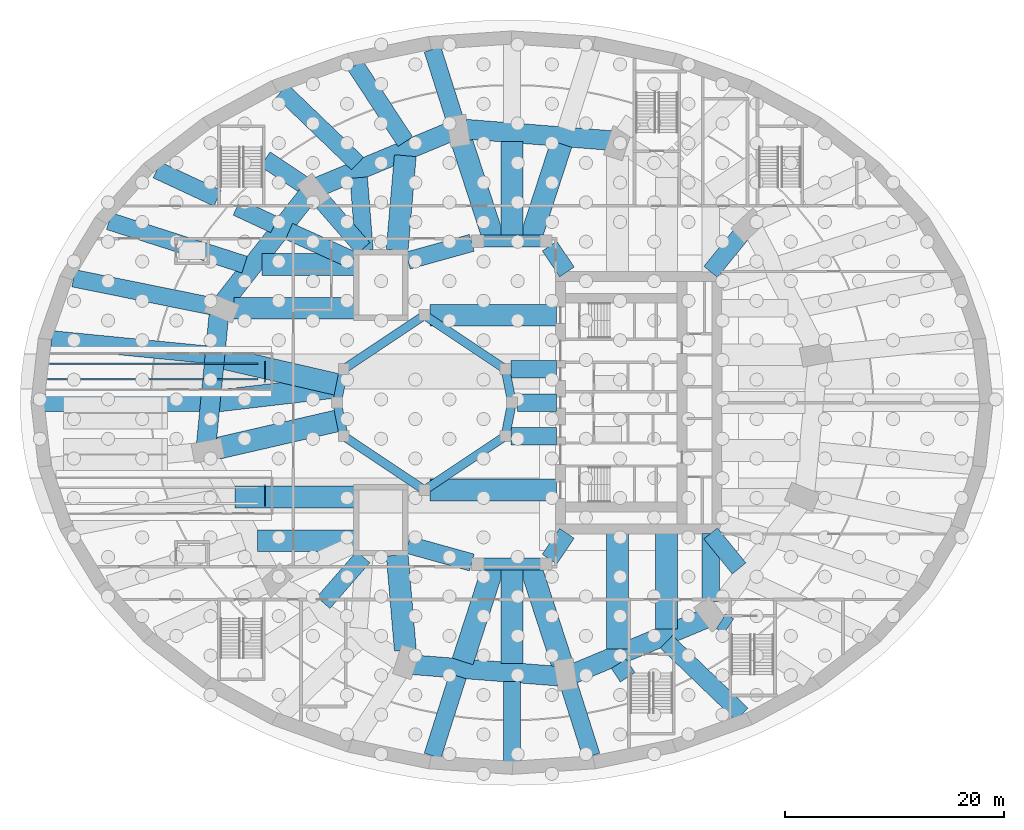
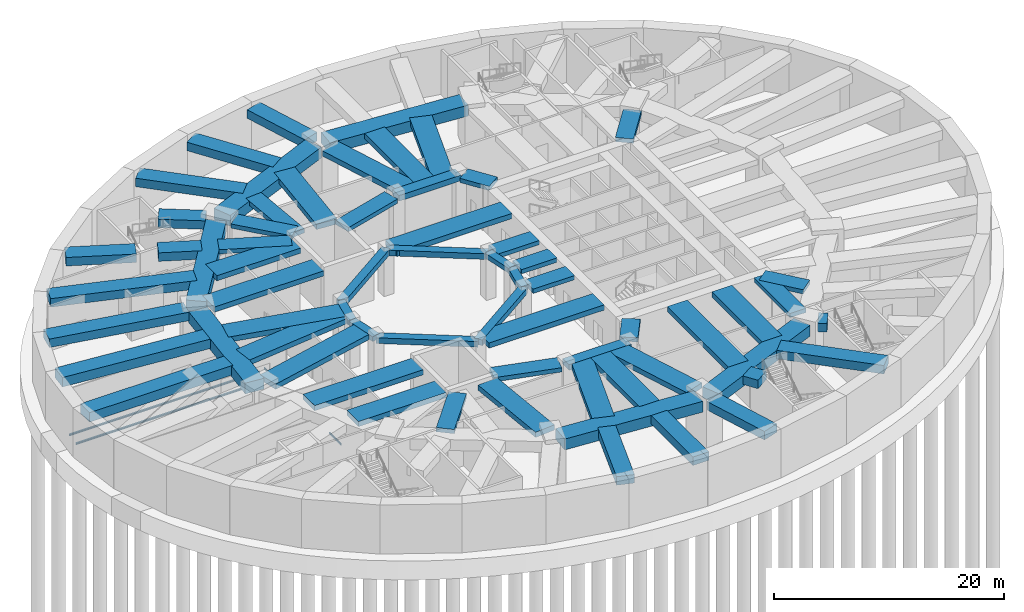
# One storey, part 5 of 18: 65 beams, 4 members.
"""IFC4 building model written with IfcOpenShell, lengths in metres."""

from ifc_helpers import new_model, si_unit, direction, frame, origin, origin_2d, place, context, subcontext, project, spatial, rectangle, hollow_rectangle, i_section, extrude, material, material_profile, profile_set, type_object, element, save


model = new_model("IFC4")

# Units and contexts
model_context = context("Model", 3, precision=1e-05, world=origin(), true_north=direction((0.0, 1.0)))
body_context = subcontext(model_context, "Body", "Model", "MODEL_VIEW")
ifc_project = project(units=[si_unit("LENGTHUNIT", "METRE"), si_unit("AREAUNIT", "SQUARE_METRE"), si_unit("VOLUMEUNIT", "CUBIC_METRE"), si_unit("PLANEANGLEUNIT", "RADIAN"), si_unit("MASSUNIT", "GRAM", prefix="KILO")], contexts=[model_context])

# Site, building, storey
site_placement = place(None, origin())
site = spatial("IfcSite", under=ifc_project, at=site_placement, CompositionType="ELEMENT")
building_placement = place(site_placement, origin())
building = spatial("IfcBuilding", under=site, at=building_placement, Name="Taillehof Tower", CompositionType="ELEMENT")
storey_placement = place(building_placement, frame((0.0, 0.0, -10.39990234375)))
storey = spatial("IfcBuildingStorey", under=building, at=storey_placement, Name="B2", CompositionType="ELEMENT", Elevation=-10.39990234375)

# Beams
ifc_material_1 = material(Name="Concrete C50/60", Category="concrete")
ifc_material_profile_1 = material_profile(ifc_material_1, rectangle(XDim=0.800048828125, YDim=0.5, at=origin_2d()), Name="RC 800x500")
ifc_profile_set_1 = profile_set([ifc_material_profile_1], Name="Concrete C50/60")
beam_type_1 = type_object("IfcBeamType", Name="Atrium ring beam C50/60 800x500", PredefinedType="BEAM", material=ifc_profile_set_1)
for number, where, z_axis, x_axis, name in (
    (1, (0.0, 0.0, 4.5), (-0.195063155143, 0.980790683839, 0.0), (-0.980790683839, -0.195063155143, 0.0), "Atrium ring beam AB01"),
    (2, (-15.39111328125, 3.0615234375, 4.5), (-0.195063155143, -0.980790683839, 0.0), (0.980790683839, -0.195063155143, 0.0), "Atrium ring beam AB04"),
    (3, (-16.0, 0.0, 4.5), (0.195063155143, -0.980790683839, 0.0), (0.980790683839, 0.195063155143, 0.0), "Atrium ring beam AB05"),
    (4, (-0.60888671875, -3.0615234375, 4.5), (0.195063155143, 0.980790683839, 0.0), (-0.980790683839, 0.195063155143, 0.0), "Atrium ring beam AB08"),
):
    element("IfcBeam", number, at=place(storey_placement, frame(where, z_axis=z_axis, x_axis=x_axis)), inside=storey, type_object=beam_type_1, Name=name, PredefinedType="BEAM", context=body_context, shape_type="SweptSolid", body=[
        extrude(rectangle(XDim=0.800048828125, YDim=0.5, at=origin_2d()), origin(), (0.0, 0.0, 1.0), 3.12158203125),
    ])
ifc_material_2 = material(Name="Concrete C50/60", Category="concrete")
ifc_material_profile_2 = material_profile(ifc_material_2, rectangle(XDim=0.800048828125, YDim=0.60009765625, at=origin_2d()), Name="RC 800x600")
ifc_profile_set_2 = profile_set([ifc_material_profile_2], Name="Concrete C50/60")
beam_type_2 = type_object("IfcBeamType", Name="Atrium ring beam C50/60 800x600", PredefinedType="BEAM", material=ifc_profile_set_2)
for number, where, z_axis, x_axis, name in (
    (5, (-0.60888671875, 3.0615234375, 4.449951171875), (-0.831475195687, 0.555561876804, 0.0), (-0.555561876804, -0.831475195687, 0.0), "Atrium ring beam AB02"),
    (6, (-8.0, 8.0, 4.449951171875), (-0.831475195687, -0.555561876804, 0.0), (0.555561876804, -0.831475195687, 0.0), "Atrium ring beam AB03"),
    (7, (-15.39111328125, -3.0615234375, 4.449951171875), (0.831475195687, -0.555561876804, 0.0), (0.555561876804, 0.831475195687, 0.0), "Atrium ring beam AB06"),
    (8, (-8.0, -8.0, 4.449951171875), (0.831475195687, 0.555561876804, 0.0), (-0.555561876804, 0.831475195687, 0.0), "Atrium ring beam AB07"),
):
    element("IfcBeam", number, at=place(storey_placement, frame(where, z_axis=z_axis, x_axis=x_axis)), inside=storey, type_object=beam_type_2, Name=name, PredefinedType="BEAM", context=body_context, shape_type="SweptSolid", body=[
        extrude(rectangle(XDim=0.800048828125, YDim=0.60009765625, at=origin_2d()), origin(), (0.0, 0.0, 1.0), 8.88916015625),
    ])

# Members
ifc_material_3 = material(Name="Structural steel S355", Category="steel")
ifc_material_profile_3 = material_profile(ifc_material_3, hollow_rectangle(XDim=0.10009765625, YDim=0.199951171875, WallThickness=0.008056640625, InnerFilletRadius=0.008056640625, OuterFilletRadius=0.011962890625, at=origin_2d()), Name="RHS 200x100x8")
ifc_profile_set_3 = profile_set([ifc_material_profile_3], Name="Structural steel S355")
member_type_1 = type_object("IfcMemberType", Name="Buffer stop RHS 200x100x8", PredefinedType="USERDEFINED", material=ifc_profile_set_3)
for number, where, z_axis, x_axis, name in (
    (9, (-22.60009765625, 1.85009765625, -0.402099609375), (0.0, 1.0, 0.0), (-1.0, 0.0, 0.0), "North track buffer stop"),
    (10, (-22.60009765625, -9.5, -0.402099609375), (0.0, 1.0, 0.0), (-1.0, 0.0, 0.0), "South track buffer stop"),
):
    element("IfcMember", number, at=place(storey_placement, frame(where, z_axis=z_axis, x_axis=x_axis)), inside=storey, type_object=member_type_1, Name=name, ObjectType="BUFFER", PredefinedType="USERDEFINED", context=body_context, shape_type="SweptSolid", body=[
        extrude(hollow_rectangle(XDim=0.10009765625, YDim=0.199951171875, WallThickness=0.008056640625, InnerFilletRadius=0.008056640625, OuterFilletRadius=0.011962890625, at=origin_2d()), origin(), (0.0, 0.0, 1.0), 2.0),
    ])

# Beams
ifc_material_4 = material(Name="Concrete C50/60", Category="concrete")
ifc_material_profile_4 = material_profile(ifc_material_4, rectangle(XDim=1.10009765625, YDim=0.60009765625, at=origin_2d()), Name="RC 1100x600")
ifc_profile_set_4 = profile_set([ifc_material_profile_4], Name="Concrete C50/60")
beam_type_3 = type_object("IfcBeamType", Name="Mid-ring beam C50/60 1100x600", PredefinedType="BEAM", material=ifc_profile_set_4)
for number, where, z_axis, x_axis, name in (
    (11, (3.125732421875, 14.772216796875, 4.449951171875), (-1.0, 0.0, 0.0), (0.0, -1.0, 0.0), "Mid-ring beam MB01"),
    (12, (-3.125732421875, -14.772216796875, 4.449951171875), (1.0, 0.0, 0.0), (0.0, 1.0, 0.0), "Mid-ring beam MB02"),
):
    element("IfcBeam", number, at=place(storey_placement, frame(where, z_axis=z_axis, x_axis=x_axis)), inside=storey, type_object=beam_type_3, Name=name, PredefinedType="BEAM", context=body_context, shape_type="SweptSolid", body=[
        extrude(rectangle(XDim=1.10009765625, YDim=0.60009765625, at=origin_2d()), origin(), (0.0, 0.0, 1.0), 6.25146484375),
    ])
ifc_material_5 = material(Name="Concrete C50/60", Category="concrete")
ifc_material_profile_5 = material_profile(ifc_material_5, rectangle(XDim=1.60009765625, YDim=1.0, at=origin_2d()), Name="RC 1600x1000")
ifc_profile_set_5 = profile_set([ifc_material_profile_5], Name="Concrete C50/60")
beam_type_4 = type_object("IfcBeamType", Name="Podium radial beam C50/60 1600x1000", PredefinedType="BEAM", material=ifc_profile_set_5)
beam_1_placement = place(storey_placement, frame((-42.103271484375, 5.78369140625, 4.25), z_axis=(0.995235968707, -0.097495469601, 0.0), x_axis=(0.097495469601, 0.995235968707, 0.0)))
element("IfcBeam", 13, at=beam_1_placement, inside=storey, type_object=beam_type_4, Name="Podium radial beam PR18", PredefinedType="BEAM", context=body_context, shape_type="SweptSolid", body=[
    extrude(rectangle(XDim=1.60009765625, YDim=1.0, at=origin_2d()), origin(), (0.0, 0.0, 1.0), 14.108154296875),
])
beam_2_placement = place(storey_placement, frame((-42.792236328125, 0.0, 4.25), z_axis=(1.0, 0.0, 0.0), x_axis=(0.0, 1.0, 0.0)))
element("IfcBeam", 14, at=beam_2_placement, inside=storey, type_object=beam_type_4, Name="Podium radial beam PR19", PredefinedType="BEAM", context=body_context, shape_type="SweptSolid", body=[
    extrude(rectangle(XDim=1.60009765625, YDim=1.0, at=origin_2d()), origin(), (0.0, 0.0, 1.0), 14.37939453125),
])
ifc_material_6 = material(Name="Concrete C50/60", Category="concrete")
ifc_material_profile_6 = material_profile(ifc_material_6, rectangle(XDim=1.60009765625, YDim=0.89990234375, at=origin_2d()), Name="RC 1600x900")
ifc_profile_set_6 = profile_set([ifc_material_profile_6], Name="Concrete C50/60")
beam_type_5 = type_object("IfcBeamType", Name="Podium radial beam C50/60 1600x900", PredefinedType="BEAM", material=ifc_profile_set_6)
beam_3_placement = place(storey_placement, frame((-7.266845703125, 32.305908203125, 4.2998046875), z_axis=(0.302540157535, -0.953136639249, 0.0), x_axis=(0.953136639249, 0.302540157535, 0.0)))
element("IfcBeam", 15, at=beam_3_placement, inside=storey, type_object=beam_type_5, Name="Podium radial beam PR11", PredefinedType="BEAM", context=body_context, shape_type="SweptSolid", body=[
    extrude(rectangle(XDim=1.60009765625, YDim=0.89990234375, at=origin_2d()), origin(), (0.0, 0.0, 1.0), 6.7744140625),
])
beam_4_placement = place(storey_placement, frame((-14.342041015625, 30.870361328125, 4.2998046875), z_axis=(0.5480227373, -0.836463435783, 0.0), x_axis=(0.836463435783, 0.5480227373, 0.0)))
element("IfcBeam", 16, at=beam_4_placement, inside=storey, type_object=beam_type_5, Name="Podium radial beam PR12", PredefinedType="BEAM", context=body_context, shape_type="SweptSolid", body=[
    extrude(rectangle(XDim=1.60009765625, YDim=0.89990234375, at=origin_2d()), origin(), (0.0, 0.0, 1.0), 8.36669921875),
])
beam_5_placement = place(storey_placement, frame((-21.03564453125, 28.516845703125, 4.2998046875), z_axis=(0.720583518861, -0.693368150657, 0.0), x_axis=(0.693368150657, 0.720583518861, 0.0)))
element("IfcBeam", 17, at=beam_5_placement, inside=storey, type_object=beam_type_5, Name="Podium radial beam PR13", PredefinedType="BEAM", context=body_context, shape_type="SweptSolid", body=[
    extrude(rectangle(XDim=1.60009765625, YDim=0.89990234375, at=origin_2d()), origin(), (0.0, 0.0, 1.0), 9.589599609375),
])
beam_6_placement = place(storey_placement, frame((-22.574951171875, 22.2666015625, 4.2998046875), z_axis=(0.833791422348, -0.552079581237, 0.0), x_axis=(0.552079581237, 0.833791422348, 0.0)))
element("IfcBeam", 18, at=beam_6_placement, inside=storey, type_object=beam_type_5, Name="Podium radial beam PR14", PredefinedType="BEAM", context=body_context, shape_type="SweptSolid", body=[
    extrude(rectangle(XDim=1.60009765625, YDim=0.89990234375, at=origin_2d()), origin(), (0.0, 0.0, 1.0), 4.132080078125),
])
beam_7_placement = place(storey_placement, frame((-32.48193359375, 21.2841796875, 4.2998046875), z_axis=(0.906347874546, -0.422532283152, 0.0), x_axis=(0.422532283152, 0.906347874546, 0.0)))
element("IfcBeam", 19, at=beam_7_placement, inside=storey, type_object=beam_type_5, Name="Podium radial beam PR15", PredefinedType="BEAM", context=body_context, shape_type="SweptSolid", body=[
    extrude(rectangle(XDim=1.60009765625, YDim=0.89990234375, at=origin_2d()), origin(), (0.0, 0.0, 1.0), 6.131103515625),
])
beam_8_placement = place(storey_placement, frame((-25.168701171875, 17.875, 4.2998046875), z_axis=(0.906350679656, -0.422526266032, 0.0), x_axis=(0.422526266032, 0.906350679656, 0.0)))
element("IfcBeam", 20, at=beam_8_placement, inside=storey, type_object=beam_type_5, Name="Podium radial beam PR15", PredefinedType="BEAM", context=body_context, shape_type="SweptSolid", body=[
    extrude(rectangle(XDim=1.60009765625, YDim=0.89990234375, at=origin_2d()), origin(), (0.0, 0.0, 1.0), 3.795654296875),
])
beam_9_placement = place(storey_placement, frame((-36.850341796875, 16.59765625, 4.2998046875), z_axis=(0.9522154195, -0.305427233342, 0.0), x_axis=(0.305427233342, 0.9522154195, 0.0)))
element("IfcBeam", 21, at=beam_9_placement, inside=storey, type_object=beam_type_5, Name="Podium radial beam PR16", PredefinedType="BEAM", context=body_context, shape_type="SweptSolid", body=[
    extrude(rectangle(XDim=1.60009765625, YDim=0.89990234375, at=origin_2d()), origin(), (0.0, 0.0, 1.0), 13.010986328125),
])
beam_10_placement = place(storey_placement, frame((-40.097412109375, 11.376220703125, 4.2998046875), z_axis=(0.98016201172, -0.198197958571, 0.0), x_axis=(0.198197958571, 0.98016201172, 0.0)))
element("IfcBeam", 22, at=beam_10_placement, inside=storey, type_object=beam_type_5, Name="Podium radial beam PR17", PredefinedType="BEAM", context=body_context, shape_type="SweptSolid", body=[
    extrude(rectangle(XDim=1.60009765625, YDim=0.89990234375, at=origin_2d()), origin(), (0.0, 0.0, 1.0), 12.80712890625),
])
beam_11_placement = place(storey_placement, frame((-7.266845703125, -32.305908203125, 4.2998046875), z_axis=(0.302511936642, 0.953145596532, 0.0), x_axis=(-0.953145596532, 0.302511936642, 0.0)))
element("IfcBeam", 23, at=beam_11_placement, inside=storey, type_object=beam_type_5, Name="Podium radial beam PR27", PredefinedType="BEAM", context=body_context, shape_type="SweptSolid", body=[
    extrude(rectangle(XDim=1.60009765625, YDim=0.89990234375, at=origin_2d()), origin(), (0.0, 0.0, 1.0), 7.649169921875),
])
beam_12_placement = place(storey_placement, frame((0.0, -32.79736328125, 4.2998046875), z_axis=(0.0, 1.0, 0.0), x_axis=(-1.0, 0.0, 0.0)))
element("IfcBeam", 24, at=beam_12_placement, inside=storey, type_object=beam_type_5, Name="Podium radial beam PR28", PredefinedType="BEAM", context=body_context, shape_type="SweptSolid", body=[
    extrude(rectangle(XDim=1.60009765625, YDim=0.89990234375, at=origin_2d()), origin(), (0.0, 0.0, 1.0), 7.275634765625),
])
beam_13_placement = place(storey_placement, frame((7.266845703125, -32.305908203125, 4.2998046875), z_axis=(-0.302540157535, 0.953136639249, 0.0), x_axis=(-0.953136639249, -0.302540157535, 0.0)))
element("IfcBeam", 25, at=beam_13_placement, inside=storey, type_object=beam_type_5, Name="Podium radial beam PR29", PredefinedType="BEAM", context=body_context, shape_type="SweptSolid", body=[
    extrude(rectangle(XDim=1.60009765625, YDim=0.89990234375, at=origin_2d()), origin(), (0.0, 0.0, 1.0), 6.7744140625),
])
beam_14_placement = place(storey_placement, frame((10.574951171875, -25.12060546875, 4.2998046875), z_axis=(-0.54800258411, 0.836476639129, 0.0), x_axis=(-0.836476639129, -0.54800258411, 0.0)))
element("IfcBeam", 26, at=beam_14_placement, inside=storey, type_object=beam_type_5, Name="Podium radial beam PR30", PredefinedType="BEAM", context=body_context, shape_type="SweptSolid", body=[
    extrude(rectangle(XDim=1.60009765625, YDim=0.89990234375, at=origin_2d()), origin(), (0.0, 0.0, 1.0), 1.492919921875),
])
beam_15_placement = place(storey_placement, frame((21.03564453125, -28.516845703125, 4.2998046875), z_axis=(-0.720583518861, 0.693368150657, 0.0), x_axis=(-0.693368150657, -0.720583518861, 0.0)))
element("IfcBeam", 27, at=beam_15_placement, inside=storey, type_object=beam_type_5, Name="Podium radial beam PR31", PredefinedType="BEAM", context=body_context, shape_type="SweptSolid", body=[
    extrude(rectangle(XDim=1.60009765625, YDim=0.89990234375, at=origin_2d()), origin(), (0.0, 0.0, 1.0), 9.589599609375),
])
beam_16_placement = place(storey_placement, frame((19.824951171875, -20.44580078125, 4.2998046875), z_axis=(-0.833757807349, 0.552130345738, 0.0), x_axis=(-0.552130345738, -0.833757807349, 0.0)))
element("IfcBeam", 28, at=beam_16_placement, inside=storey, type_object=beam_type_5, Name="Podium radial beam PR32", PredefinedType="BEAM", context=body_context, shape_type="SweptSolid", body=[
    extrude(rectangle(XDim=1.60009765625, YDim=0.89990234375, at=origin_2d()), origin(), (0.0, 0.0, 1.0), 0.833984375),
])
ifc_material_7 = material(Name="Concrete C50/60", Category="concrete")
ifc_material_profile_7 = material_profile(ifc_material_7, rectangle(XDim=1.60009765625, YDim=0.449951171875, at=origin_2d()), Name="RC 1600x450")
ifc_profile_set_7 = profile_set([ifc_material_profile_7], Name="Concrete C50/60")
beam_type_6 = type_object("IfcBeamType", Name="Radial band beam C50/60 1600x450", PredefinedType="BEAM", material=ifc_profile_set_7)
beam_17_placement = place(storey_placement, frame((20.943115234375, 15.37255859375, 4.52490234375), z_axis=(-0.630991767535, -0.77578952642, 0.0), x_axis=(0.77578952642, -0.630991767535, 0.0)))
element("IfcBeam", 29, at=beam_17_placement, inside=storey, type_object=beam_type_6, Name="Radial band beam RB05", PredefinedType="BEAM", context=body_context, shape_type="SweptSolid", body=[
    extrude(rectangle(XDim=1.60009765625, YDim=0.449951171875, at=origin_2d()), origin(), (0.0, 0.0, 1.0), 4.397216796875),
])
beam_18_placement = place(storey_placement, frame((-14.022705078125, 20.580810546875, 4.52490234375), z_axis=(0.079171881643, -0.996860979855, 0.0), x_axis=(0.996860979855, 0.079171881643, 0.0)))
element("IfcBeam", 30, at=beam_18_placement, inside=storey, type_object=beam_type_6, Name="Radial band beam RB13", PredefinedType="BEAM", context=body_context, shape_type="SweptSolid", body=[
    extrude(rectangle(XDim=1.60009765625, YDim=0.449951171875, at=origin_2d()), origin(), (0.0, 0.0, 1.0), 6.651611328125),
])
beam_19_placement = place(storey_placement, frame((-17.275146484375, 18.329345703125, 4.52490234375), z_axis=(0.657212129722, -0.753705656438, 0.0), x_axis=(0.753705656438, 0.657212129722, 0.0)))
element("IfcBeam", 31, at=beam_19_placement, inside=storey, type_object=beam_type_6, Name="Radial band beam RB14", PredefinedType="BEAM", context=body_context, shape_type="SweptSolid", body=[
    extrude(rectangle(XDim=1.60009765625, YDim=0.449951171875, at=origin_2d()), origin(), (0.0, 0.0, 1.0), 5.593994140625),
])
beam_20_placement = place(storey_placement, frame((-20.395263671875, 15.6669921875, 4.52490234375), z_axis=(0.911103818844, -0.412176941724, 0.0), x_axis=(0.412176941724, 0.911103818844, 0.0)))
element("IfcBeam", 32, at=beam_20_placement, inside=storey, type_object=beam_type_6, Name="Radial band beam RB15", PredefinedType="BEAM", context=body_context, shape_type="SweptSolid", body=[
    extrude(rectangle(XDim=1.60009765625, YDim=0.449951171875, at=origin_2d()), origin(), (0.0, 0.0, 1.0), 6.3828125),
])
beam_21_placement = place(storey_placement, frame((-17.2529296875, -18.3037109375, 4.52490234375), z_axis=(0.657226031151, 0.75369353452, 0.0), x_axis=(-0.75369353452, 0.657226031151, 0.0)))
element("IfcBeam", 33, at=beam_21_placement, inside=storey, type_object=beam_type_6, Name="Radial band beam RB24", PredefinedType="BEAM", context=body_context, shape_type="SweptSolid", body=[
    extrude(rectangle(XDim=1.60009765625, YDim=0.449951171875, at=origin_2d()), origin(), (0.0, 0.0, 1.0), 5.560302734375),
])
beam_22_placement = place(storey_placement, frame((18.15869140625, -18.1953125, 4.52490234375), z_axis=(0.0, 1.0, 0.0), x_axis=(-1.0, 0.0, 0.0)))
element("IfcBeam", 34, at=beam_22_placement, inside=storey, type_object=beam_type_6, Name="Radial band beam RB32", PredefinedType="BEAM", context=body_context, shape_type="SweptSolid", body=[
    extrude(rectangle(XDim=1.60009765625, YDim=0.449951171875, at=origin_2d()), origin(), (0.0, 0.0, 1.0), 6.245361328125),
])
beam_23_placement = place(storey_placement, frame((20.771484375, -15.16162109375, 4.52490234375), z_axis=(-0.63098244055, 0.775797112471, 0.0), x_axis=(-0.775797112471, -0.63098244055, 0.0)))
element("IfcBeam", 35, at=beam_23_placement, inside=storey, type_object=beam_type_6, Name="Radial band beam RB33", PredefinedType="BEAM", context=body_context, shape_type="SweptSolid", body=[
    extrude(rectangle(XDim=1.60009765625, YDim=0.449951171875, at=origin_2d()), origin(), (0.0, 0.0, 1.0), 4.125244140625),
])
beam_24_placement = place(storey_placement, frame((0.5, 0.0, 4.52490234375), z_axis=(1.0, 0.0, 0.0), x_axis=(0.0, 1.0, 0.0)))
element("IfcBeam", 36, at=beam_24_placement, inside=storey, type_object=beam_type_6, Name="Inner band beam IB101", PredefinedType="BEAM", context=body_context, shape_type="SweptSolid", body=[
    extrude(rectangle(XDim=1.60009765625, YDim=0.449951171875, at=origin_2d()), origin(), (0.0, 0.0, 1.0), 3.550048828125),
])
for number, where, z_axis, x_axis, name in (
    (37, (-0.10888671875, 3.0615234375, 4.52490234375), (1.0, 0.0, 0.0), (0.0, 1.0, 0.0), "Inner band beam IB102"),
    (38, (-0.10888671875, -3.0615234375, 4.52490234375), (1.0, 0.0, 0.0), (0.0, 1.0, 0.0), "Inner band beam IB116"),
):
    element("IfcBeam", number, at=place(storey_placement, frame(where, z_axis=z_axis, x_axis=x_axis)), inside=storey, type_object=beam_type_6, Name=name, PredefinedType="BEAM", context=body_context, shape_type="SweptSolid", body=[
        extrude(rectangle(XDim=1.60009765625, YDim=0.449951171875, at=origin_2d()), origin(), (0.0, 0.0, 1.0), 4.158935546875),
    ])
beam_25_placement = place(storey_placement, frame((3.433837890625, 14.31640625, 4.52490234375), z_axis=(0.560112043398, -0.828416862962, 0.0), x_axis=(0.828416862962, 0.560112043398, 0.0)))
element("IfcBeam", 39, at=beam_25_placement, inside=storey, type_object=beam_type_6, Name="Inner band beam IB205", PredefinedType="BEAM", context=body_context, shape_type="SweptSolid", body=[
    extrude(rectangle(XDim=1.60009765625, YDim=0.449951171875, at=origin_2d()), origin(), (0.0, 0.0, 1.0), 2.84619140625),
])
for number, where, z_axis, x_axis, name in (
    (40, (-3.6796875, 14.6181640625, 4.52490234375), (-0.963453939049, -0.267874051248, 0.0), (0.267874051248, -0.963453939049, 0.0), "Inner band beam IB206"),
    (41, (-3.6796875, -14.6181640625, 4.52490234375), (-0.963453939049, 0.267874051248, 0.0), (-0.267874051248, -0.963453939049, 0.0), "Inner band beam IB214"),
):
    element("IfcBeam", number, at=place(storey_placement, frame(where, z_axis=z_axis, x_axis=x_axis)), inside=storey, type_object=beam_type_6, Name=name, PredefinedType="BEAM", context=body_context, shape_type="SweptSolid", body=[
        extrude(rectangle(XDim=1.60009765625, YDim=0.449951171875, at=origin_2d()), origin(), (0.0, 0.0, 1.0), 6.07177734375),
    ])
beam_26_placement = place(storey_placement, frame((3.433837890625, -14.31640625, 4.52490234375), z_axis=(0.560112043398, 0.828416862962, 0.0), x_axis=(-0.828416862962, 0.560112043398, 0.0)))
element("IfcBeam", 42, at=beam_26_placement, inside=storey, type_object=beam_type_6, Name="Inner band beam IB215", PredefinedType="BEAM", context=body_context, shape_type="SweptSolid", body=[
    extrude(rectangle(XDim=1.60009765625, YDim=0.449951171875, at=origin_2d()), origin(), (0.0, 0.0, 1.0), 2.84619140625),
])
ifc_material_8 = material(Name="Concrete C50/60", Category="concrete")
ifc_material_profile_8 = material_profile(ifc_material_8, rectangle(XDim=2.0, YDim=0.550048828125, at=origin_2d()), Name="RC 2000x550")
ifc_profile_set_8 = profile_set([ifc_material_profile_8], Name="Concrete C50/60")
beam_type_7 = type_object("IfcBeamType", Name="Radial band beam C50/60 2000x550", PredefinedType="BEAM", material=ifc_profile_set_8)
beam_27_placement = place(storey_placement, frame((4.515380859375, 23.665771484375, 4.474853515625), z_axis=(-0.309012868999, -0.951057856701, 0.0), x_axis=(0.951057856701, -0.309012868999, 0.0)))
element("IfcBeam", 43, at=beam_27_placement, inside=storey, type_object=beam_type_7, Name="Radial band beam RB09", PredefinedType="BEAM", context=body_context, shape_type="SweptSolid", body=[
    extrude(rectangle(XDim=2.0, YDim=0.550048828125, at=origin_2d()), origin(), (0.0, 0.0, 1.0), 9.351318359375),
])
beam_28_placement = place(storey_placement, frame((0.0, 23.864501953125, 4.474853515625), z_axis=(0.0, -1.0, 0.0), x_axis=(1.0, 0.0, 0.0)))
element("IfcBeam", 44, at=beam_28_placement, inside=storey, type_object=beam_type_7, Name="Radial band beam RB10", PredefinedType="BEAM", context=body_context, shape_type="SweptSolid", body=[
    extrude(rectangle(XDim=2.0, YDim=0.550048828125, at=origin_2d()), origin(), (0.0, 0.0, 1.0), 9.09228515625),
])
beam_29_placement = place(storey_placement, frame((-4.5439453125, 23.75341796875, 4.474853515625), z_axis=(0.309021183307, -0.951055155218, 0.0), x_axis=(0.951055155218, 0.309021183307, 0.0)))
element("IfcBeam", 45, at=beam_29_placement, inside=storey, type_object=beam_type_7, Name="Radial band beam RB11", PredefinedType="BEAM", context=body_context, shape_type="SweptSolid", body=[
    extrude(rectangle(XDim=2.0, YDim=0.550048828125, at=origin_2d()), origin(), (0.0, 0.0, 1.0), 9.443359375),
])
beam_30_placement = place(storey_placement, frame((-9.760009765625, 22.590576171875, 4.474853515625), z_axis=(-0.085833899747, -0.996309460787, 0.0), x_axis=(0.996309460787, -0.085833899747, 0.0)))
element("IfcBeam", 46, at=beam_30_placement, inside=storey, type_object=beam_type_7, Name="Radial band beam RB12", PredefinedType="BEAM", context=body_context, shape_type="SweptSolid", body=[
    extrude(rectangle(XDim=2.0, YDim=0.550048828125, at=origin_2d()), origin(), (0.0, 0.0, 1.0), 8.67236328125),
])
beam_31_placement = place(storey_placement, frame((-22.861328125, 12.625, 4.474853515625), z_axis=(1.0, 0.0, 0.0), x_axis=(0.0, 1.0, 0.0)))
element("IfcBeam", 47, at=beam_31_placement, inside=storey, type_object=beam_type_7, Name="Radial band beam RB16", PredefinedType="BEAM", context=body_context, shape_type="SweptSolid", body=[
    extrude(rectangle(XDim=2.0, YDim=0.550048828125, at=origin_2d()), origin(), (0.0, 0.0, 1.0), 8.411376953125),
])
beam_32_placement = place(storey_placement, frame((-25.444091796875, 8.635986328125, 4.474853515625), z_axis=(1.0, 0.0, 0.0), x_axis=(0.0, 1.0, 0.0)))
element("IfcBeam", 48, at=beam_32_placement, inside=storey, type_object=beam_type_7, Name="Radial band beam RB17", PredefinedType="BEAM", context=body_context, shape_type="SweptSolid", body=[
    extrude(rectangle(XDim=2.0, YDim=0.550048828125, at=origin_2d()), origin(), (0.0, 0.0, 1.0), 10.994140625),
])
beam_33_placement = place(storey_placement, frame((-26.423828125, 4.06298828125, 4.474853515625), z_axis=(0.97450754924, -0.224354711282, 0.0), x_axis=(0.224354711282, 0.97450754924, 0.0)))
element("IfcBeam", 49, at=beam_33_placement, inside=storey, type_object=beam_type_7, Name="Radial band beam RB18", PredefinedType="BEAM", context=body_context, shape_type="SweptSolid", body=[
    extrude(rectangle(XDim=2.0, YDim=0.550048828125, at=origin_2d()), origin(), (0.0, 0.0, 1.0), 11.021240234375),
])
beam_34_placement = place(storey_placement, frame((-26.890625, 0.159423828125, 4.474853515625), z_axis=(0.993190949088, 0.116497805345, 0.0), x_axis=(-0.116497805345, 0.993190949088, 0.0)))
element("IfcBeam", 50, at=beam_34_placement, inside=storey, type_object=beam_type_7, Name="Radial band beam RB19", PredefinedType="BEAM", context=body_context, shape_type="SweptSolid", body=[
    extrude(rectangle(XDim=2.0, YDim=0.550048828125, at=origin_2d()), origin(), (0.0, 0.0, 1.0), 11.260009765625),
])
beam_35_placement = place(storey_placement, frame((-26.8681640625, -4.165283203125, 4.474853515625), z_axis=(0.974507582224, 0.224354568011, 0.0), x_axis=(-0.224354568011, 0.974507582224, 0.0)))
element("IfcBeam", 51, at=beam_35_placement, inside=storey, type_object=beam_type_7, Name="Radial band beam RB20", PredefinedType="BEAM", context=body_context, shape_type="SweptSolid", body=[
    extrude(rectangle(XDim=2.0, YDim=0.550048828125, at=origin_2d()), origin(), (0.0, 0.0, 1.0), 11.47705078125),
])
beam_36_placement = place(storey_placement, frame((-25.33984375, -8.635986328125, 4.474853515625), z_axis=(1.0, 0.0, 0.0), x_axis=(0.0, 1.0, 0.0)))
element("IfcBeam", 52, at=beam_36_placement, inside=storey, type_object=beam_type_7, Name="Radial band beam RB21", PredefinedType="BEAM", context=body_context, shape_type="SweptSolid", body=[
    extrude(rectangle(XDim=2.0, YDim=0.550048828125, at=origin_2d()), origin(), (0.0, 0.0, 1.0), 10.889892578125),
])
beam_37_placement = place(storey_placement, frame((-23.2587890625, -12.625, 4.474853515625), z_axis=(1.0, 0.0, 0.0), x_axis=(0.0, 1.0, 0.0)))
element("IfcBeam", 53, at=beam_37_placement, inside=storey, type_object=beam_type_7, Name="Radial band beam RB22", PredefinedType="BEAM", context=body_context, shape_type="SweptSolid", body=[
    extrude(rectangle(XDim=2.0, YDim=0.550048828125, at=origin_2d()), origin(), (0.0, 0.0, 1.0), 8.808837890625),
])
beam_38_placement = place(storey_placement, frame((-9.755859375, -22.637451171875, 4.474853515625), z_axis=(-0.085846652558, 0.996308362027, 0.0), x_axis=(-0.996308362027, -0.085846652558, 0.0)))
element("IfcBeam", 54, at=beam_38_placement, inside=storey, type_object=beam_type_7, Name="Radial band beam RB26", PredefinedType="BEAM", context=body_context, shape_type="SweptSolid", body=[
    extrude(rectangle(XDim=2.0, YDim=0.550048828125, at=origin_2d()), origin(), (0.0, 0.0, 1.0), 8.719482421875),
])
beam_39_placement = place(storey_placement, frame((-4.515380859375, -23.665771484375, 4.474853515625), z_axis=(0.309012868999, 0.951057856701, 0.0), x_axis=(-0.951057856701, 0.309012868999, 0.0)))
element("IfcBeam", 55, at=beam_39_placement, inside=storey, type_object=beam_type_7, Name="Radial band beam RB27", PredefinedType="BEAM", context=body_context, shape_type="SweptSolid", body=[
    extrude(rectangle(XDim=2.0, YDim=0.550048828125, at=origin_2d()), origin(), (0.0, 0.0, 1.0), 9.351318359375),
])
beam_40_placement = place(storey_placement, frame((0.0, -23.864501953125, 4.474853515625), z_axis=(0.0, 1.0, 0.0), x_axis=(-1.0, 0.0, 0.0)))
element("IfcBeam", 56, at=beam_40_placement, inside=storey, type_object=beam_type_7, Name="Radial band beam RB28", PredefinedType="BEAM", context=body_context, shape_type="SweptSolid", body=[
    extrude(rectangle(XDim=2.0, YDim=0.550048828125, at=origin_2d()), origin(), (0.0, 0.0, 1.0), 9.09228515625),
])
beam_41_placement = place(storey_placement, frame((4.5439453125, -23.75341796875, 4.474853515625), z_axis=(-0.309021183307, 0.951055155218, 0.0), x_axis=(-0.951055155218, -0.309021183307, 0.0)))
element("IfcBeam", 57, at=beam_41_placement, inside=storey, type_object=beam_type_7, Name="Radial band beam RB29", PredefinedType="BEAM", context=body_context, shape_type="SweptSolid", body=[
    extrude(rectangle(XDim=2.0, YDim=0.550048828125, at=origin_2d()), origin(), (0.0, 0.0, 1.0), 9.443359375),
])
beam_42_placement = place(storey_placement, frame((9.662109375, -22.5458984375, 4.474853515625), z_axis=(0.0, 1.0, 0.0), x_axis=(-1.0, 0.0, 0.0)))
element("IfcBeam", 58, at=beam_42_placement, inside=storey, type_object=beam_type_7, Name="Radial band beam RB30", PredefinedType="BEAM", context=body_context, shape_type="SweptSolid", body=[
    extrude(rectangle(XDim=2.0, YDim=0.550048828125, at=origin_2d()), origin(), (0.0, 0.0, 1.0), 10.595947265625),
])
beam_43_placement = place(storey_placement, frame((14.125, -20.685791015625, 4.474853515625), z_axis=(0.0, 1.0, 0.0), x_axis=(-1.0, 0.0, 0.0)))
element("IfcBeam", 59, at=beam_43_placement, inside=storey, type_object=beam_type_7, Name="Radial band beam RB31", PredefinedType="BEAM", context=body_context, shape_type="SweptSolid", body=[
    extrude(rectangle(XDim=2.0, YDim=0.550048828125, at=origin_2d()), origin(), (0.0, 0.0, 1.0), 8.73583984375),
])
for number, where, z_axis, x_axis, name in (
    (60, (-7.5, 8.0, 4.474853515625), (1.0, 0.0, 0.0), (0.0, 1.0, 0.0), "Inner band beam IB105"),
    (61, (-7.5, -8.0, 4.474853515625), (1.0, 0.0, 0.0), (0.0, 1.0, 0.0), "Inner band beam IB113"),
):
    element("IfcBeam", number, at=place(storey_placement, frame(where, z_axis=z_axis, x_axis=x_axis)), inside=storey, type_object=beam_type_7, Name=name, PredefinedType="BEAM", context=body_context, shape_type="SweptSolid", body=[
        extrude(rectangle(XDim=2.0, YDim=0.550048828125, at=origin_2d()), origin(), (0.0, 0.0, 1.0), 11.550048828125),
    ])
ifc_material_9 = material(Name="Concrete C50/60", Category="concrete")
ifc_material_profile_9 = material_profile(ifc_material_9, rectangle(XDim=1.800048828125, YDim=1.14990234375, at=origin_2d()), Name="RC 1800x1150")
ifc_profile_set_9 = profile_set([ifc_material_profile_9], Name="Concrete C50/60")
beam_type_8 = type_object("IfcBeamType", Name="Ring floor beam C50/60 1800x1150", PredefinedType="BEAM", material=ifc_profile_set_9)
beam_44_placement = place(storey_placement, frame((9.024169921875, 23.977783203125, 4.1748046875), z_axis=(-0.996957372869, 0.0779486798, 0.0), x_axis=(-0.0779486798, -0.996957372869, 0.0)))
element("IfcBeam", 62, at=beam_44_placement, inside=storey, type_object=beam_type_8, Name="Ring floor beam RG03", PredefinedType="BEAM", context=body_context, shape_type="SweptSolid", body=[
    extrude(rectangle(XDim=1.800048828125, YDim=1.14990234375, at=origin_2d()), origin(), (0.0, 0.0, 1.0), 13.298828125),
])
beam_45_placement = place(storey_placement, frame((-5.588134765625, 24.798583984375, 4.1748046875), z_axis=(-0.923036542488, -0.384712283703, 0.0), x_axis=(0.384712283703, -0.923036542488, 0.0)))
element("IfcBeam", 63, at=beam_45_placement, inside=storey, type_object=beam_type_8, Name="Ring floor beam RG04", PredefinedType="BEAM", context=body_context, shape_type="SweptSolid", body=[
    extrude(rectangle(XDim=1.800048828125, YDim=1.14990234375, at=origin_2d()), origin(), (0.0, 0.0, 1.0), 13.0595703125),
])
beam_46_placement = place(storey_placement, frame((-18.706787109375, 18.96728515625, 4.1748046875), z_axis=(-0.616695661832, -0.787201664555, 0.0), x_axis=(0.787201664555, -0.616695661832, 0.0)))
element("IfcBeam", 64, at=beam_46_placement, inside=storey, type_object=beam_type_8, Name="Ring floor beam RG05", PredefinedType="BEAM", context=body_context, shape_type="SweptSolid", body=[
    extrude(rectangle(XDim=1.800048828125, YDim=1.14990234375, at=origin_2d()), origin(), (0.0, 0.0, 1.0), 12.351318359375),
])
beam_47_placement = place(storey_placement, frame((-26.804931640625, 8.048095703125, 4.1748046875), z_axis=(-0.097401633185, -0.995245156659, 0.0), x_axis=(0.995245156659, -0.097401633185, 0.0)))
element("IfcBeam", 65, at=beam_47_placement, inside=storey, type_object=beam_type_8, Name="Ring floor beam RG06", PredefinedType="BEAM", context=body_context, shape_type="SweptSolid", body=[
    extrude(rectangle(XDim=1.800048828125, YDim=1.14990234375, at=origin_2d()), origin(), (0.0, 0.0, 1.0), 11.868408203125),
])
beam_48_placement = place(storey_placement, frame((-9.024169921875, -23.977783203125, 4.1748046875), z_axis=(0.996957372869, -0.0779486798, 0.0), x_axis=(0.0779486798, 0.996957372869, 0.0)))
element("IfcBeam", 66, at=beam_48_placement, inside=storey, type_object=beam_type_8, Name="Ring floor beam RG09", PredefinedType="BEAM", context=body_context, shape_type="SweptSolid", body=[
    extrude(rectangle(XDim=1.800048828125, YDim=1.14990234375, at=origin_2d()), origin(), (0.0, 0.0, 1.0), 13.298828125),
])
beam_49_placement = place(storey_placement, frame((5.588134765625, -24.798583984375, 4.1748046875), z_axis=(0.923036542488, 0.384712283703, 0.0), x_axis=(-0.384712283703, 0.923036542488, 0.0)))
element("IfcBeam", 67, at=beam_49_placement, inside=storey, type_object=beam_type_8, Name="Ring floor beam RG10", PredefinedType="BEAM", context=body_context, shape_type="SweptSolid", body=[
    extrude(rectangle(XDim=1.800048828125, YDim=1.14990234375, at=origin_2d()), origin(), (0.0, 0.0, 1.0), 13.0595703125),
])

# Members
ifc_material_10 = material(Name="Rail steel R260", Category="steel")
ifc_material_profile_10 = material_profile(ifc_material_10, i_section(OverallWidth=0.14990234375, OverallDepth=0.172119140625, WebThickness=0.0166015625, FlangeThickness=0.030517578125, at=origin_2d()), Name="60E1 rail")
ifc_profile_set_10 = profile_set([ifc_material_profile_10], Name="Rail steel R260")
member_type_2 = type_object("IfcMemberType", Name="Running rail 60E1", PredefinedType="USERDEFINED", material=ifc_profile_set_10)
member_1_placement = place(storey_placement, frame((-42.480712890625, 2.132568359375, -0.416015625), z_axis=(1.0, 0.0, 0.0), x_axis=(0.0, 1.0, 0.0)))
element("IfcMember", 68, at=member_1_placement, inside=storey, type_object=member_type_2, Name="North track rail 1", ObjectType="RAIL", PredefinedType="USERDEFINED", context=body_context, shape_type="SweptSolid", body=[
    extrude(i_section(OverallWidth=0.14990234375, OverallDepth=0.172119140625, WebThickness=0.0166015625, FlangeThickness=0.030517578125, at=origin_2d()), origin(), (0.0, 0.0, 1.0), 19.2607421875),
])
member_2_placement = place(storey_placement, frame((-42.318359375, 3.5673828125, -0.416015625), z_axis=(1.0, 0.0, 0.0), x_axis=(0.0, 1.0, 0.0)))
element("IfcMember", 69, at=member_2_placement, inside=storey, type_object=member_type_2, Name="North track rail 2", ObjectType="RAIL", PredefinedType="USERDEFINED", context=body_context, shape_type="SweptSolid", body=[
    extrude(i_section(OverallWidth=0.14990234375, OverallDepth=0.172119140625, WebThickness=0.0166015625, FlangeThickness=0.030517578125, at=origin_2d()), origin(), (0.0, 0.0, 1.0), 19.098388671875),
])

save(model, "model.ifc")
